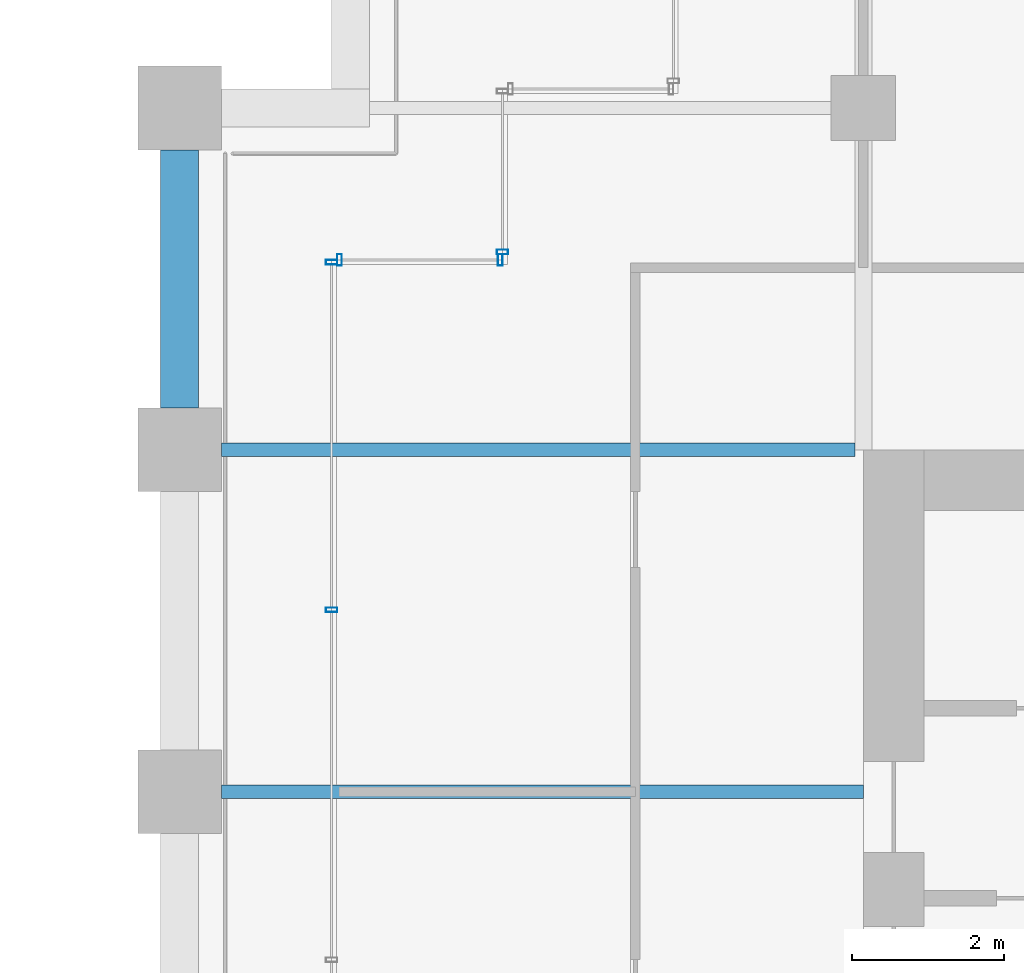
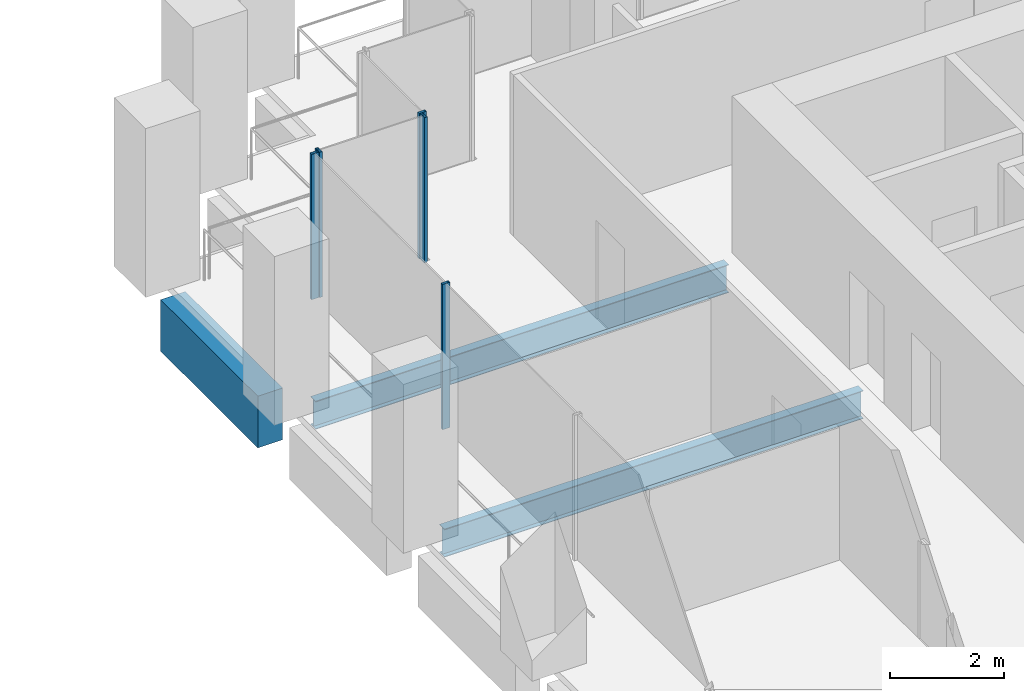
# One storey, part 40 of 56: 5 members, 3 beams, 3 elements without a shape of their own.
"""IFC4 building model written with IfcOpenShell, lengths in metres."""

import ifcopenshell
import ifcopenshell.guid

model = None  # the IFC model being written
_history = None  # IfcOwnerHistory: only IFC2X3 demands one
_inside = {}  # id of a spatial element -> (the spatial element, [elements in it])
_under = {}  # id of a project, library or spatial element -> (it, [spatial elements below it])
_declared = {}  # id of a project -> (the project, [libraries it declares])
_typed = {}  # id of a type object -> (the type object, [elements of that type])
_made_of = {}  # id of a material, layer set ... -> (it, [elements and type objects made of it])


def new_model(schema):
    """Start an empty IFC model of exactly this schema.

    Asked for "IFC4X3", IfcOpenShell would pick the latest addendum, in which some entities
    have other attributes; the version numbers below select the first issue.
    IFC2X3 requires an IfcOwnerHistory on every rooted entity: one is made here for all.
    """
    global model, _history
    if schema == "IFC4X3":
        model = ifcopenshell.file(schema_version=(4, 3, 0, 0))
    else:
        model = ifcopenshell.file(schema=schema)
    _inside.clear()
    _under.clear()
    _declared.clear()
    _typed.clear()
    _made_of.clear()
    _history = None
    if model.schema == "IFC2X3":
        org = make("IfcOrganization", Name="unknown")
        user = make(
            "IfcPersonAndOrganization",
            ThePerson=make("IfcPerson", FamilyName="unknown"),
            TheOrganization=org,
        )
        app = make(
            "IfcApplication",
            ApplicationDeveloper=org,
            Version="unknown",
            ApplicationFullName="unknown",
            ApplicationIdentifier="unknown",
        )
        _history = make(
            "IfcOwnerHistory",
            OwningUser=user,
            OwningApplication=app,
            ChangeAction="ADDED",
            CreationDate=0,
        )
    return model


def make(cls, **values):
    """One entity of the class cls with the attributes given. An attribute that is None is left unset."""
    return model.create_entity(
        cls, **{name: value for name, value in values.items() if value is not None}
    )


def rooted(cls, **values):
    """An entity with a GlobalId (a new one), such as an element, a storey or a relation."""
    return make(cls, GlobalId=ifcopenshell.guid.new(), OwnerHistory=_history, **values)


def si_unit(unit_type, name, prefix=None):
    """IfcSIUnit, for example si_unit("LENGTHUNIT", "METRE", prefix="MILLI")."""
    return make("IfcSIUnit", UnitType=unit_type, Prefix=prefix, Name=name)


def assignment(units):
    """IfcUnitAssignment: the units of a project."""
    return None if units is None else make("IfcUnitAssignment", Units=units)


def point(xyz):
    """IfcCartesianPoint."""
    return None if xyz is None else make("IfcCartesianPoint", Coordinates=xyz)


def direction(xyz):
    """IfcDirection."""
    return None if xyz is None else make("IfcDirection", DirectionRatios=xyz)


def frame(location, z_axis=None, x_axis=None):
    """IfcAxis2Placement3D, a coordinate frame: its origin and axes. An axis left out is left unset."""
    return make(
        "IfcAxis2Placement3D",
        Location=point(location),
        Axis=direction(z_axis),
        RefDirection=direction(x_axis),
    )


def frame_2d(location, x_axis=None):
    """IfcAxis2Placement2D, a coordinate frame in the plane: its origin and x axis."""
    return make(
        "IfcAxis2Placement2D", Location=point(location), RefDirection=direction(x_axis)
    )


def origin():
    """The frame at (0, 0, 0) with its axes left unset."""
    return frame((0.0, 0.0, 0.0))


def origin_2d():
    """The frame at (0, 0) in the plane with its x axis left unset."""
    return frame_2d((0.0, 0.0))


def place(relative_to, where):
    """IfcLocalPlacement: puts the frame where relative to a parent placement (None: the world)."""
    return make(
        "IfcLocalPlacement", PlacementRelTo=relative_to, RelativePlacement=where
    )


def context(
    kind, dimensions, precision=None, world=None, true_north=None, identifier=None
):
    """IfcGeometricRepresentationContext, for example the 3D "Model" context."""
    return make(
        "IfcGeometricRepresentationContext",
        ContextIdentifier=identifier,
        ContextType=kind,
        CoordinateSpaceDimension=dimensions,
        Precision=precision,
        WorldCoordinateSystem=world,
        TrueNorth=true_north,
    )


def subcontext(parent, identifier, kind, view, scale=None):
    """IfcGeometricRepresentationSubContext, for example "Body" below "Model"."""
    return make(
        "IfcGeometricRepresentationSubContext",
        ContextIdentifier=identifier,
        ContextType=kind,
        ParentContext=parent,
        TargetScale=scale,
        TargetView=view,
    )


def project(units=None, contexts=None):
    """IfcProject with its units and contexts."""
    return rooted(
        "IfcProject",
        Name="project",
        RepresentationContexts=contexts,
        UnitsInContext=assignment(units),
    )


def spatial(cls, under=None, at=None, **own):
    """A site, building, storey or space (cls), placed at a placement, below another one or the project."""
    s = rooted(cls, ObjectPlacement=at, **own)
    if under is not None:
        _under.setdefault(under.id(), (under, []))[1].append(s)
    return s


def profile(cls, at=None, kind="AREA", **sizes):
    """A parametric profile (cls). Its sizes go by their IFC names, for example OverallWidth=200.0."""
    return make(cls, ProfileType=kind, Position=at, **sizes)


def rectangle(**sizes):
    """IfcRectangleProfileDef."""
    return profile("IfcRectangleProfileDef", **sizes)


def hollow_rectangle(**sizes):
    """IfcRectangleHollowProfileDef."""
    return profile("IfcRectangleHollowProfileDef", **sizes)


def i_section(**sizes):
    """IfcIShapeProfileDef."""
    return profile("IfcIShapeProfileDef", **sizes)


def extrude(swept, where, along, depth):
    """IfcExtrudedAreaSolid: the profile swept, set in the frame where, extruded along a direction by depth."""
    return make(
        "IfcExtrudedAreaSolid",
        SweptArea=swept,
        Position=where,
        ExtrudedDirection=direction(along),
        Depth=depth,
    )


def shape(context_of_items, identifier, shape_type, items):
    """IfcShapeRepresentation: the items that make up one representation, for example the "Body"."""
    return make(
        "IfcShapeRepresentation",
        ContextOfItems=context_of_items,
        RepresentationIdentifier=identifier,
        RepresentationType=shape_type,
        Items=items,
    )


def material(Name=None, Category=None):
    """IfcMaterial."""
    return make("IfcMaterial", Name=Name, Category=Category)


def material_profile(
    of_material, cross_section, Name=None, Category=None, Priority=None
):
    """IfcMaterialProfile: a cross section and its material."""
    return make(
        "IfcMaterialProfile",
        Name=Name,
        Material=of_material,
        Profile=cross_section,
        Priority=Priority,
        Category=Category,
    )


def profile_set(profiles, Name=None, composite=None):
    """IfcMaterialProfileSet."""
    return make(
        "IfcMaterialProfileSet",
        Name=Name,
        MaterialProfiles=profiles,
        CompositeProfile=composite,
    )


def made_of(thing, what):
    """Note that an element or type object is made of a material, layer set ...; save() writes the relation."""
    if what is not None:
        _made_of.setdefault(what.id(), (what, []))[1].append(thing)
    return thing


def type_object(cls, material=None, **own):
    """A type object (cls), such as IfcWallType, which elements share."""
    return made_of(rooted(cls, **own), material)


def element(
    cls,
    number,
    at=None,
    inside=None,
    cuts=None,
    type_object=None,
    material=None,
    context=None,
    identifier="Body",
    shape_type=None,
    held_by="IfcProductDefinitionShape",
    body=None,
    shapes=None,
    **own,
):
    """One element of the class cls, such as IfcWall. Its Tag is "e" and its number.

    at: its placement. inside: the storey or other place that contains it. cuts: it is an
    opening in that element (IfcRelVoidsElement). A single representation is given by context,
    identifier, shape_type and body (its items); several are given by shapes. held_by: the class
    of the entity that holds the representations. save() writes the other relations.
    """
    e = rooted(cls, Tag="e%d" % number, ObjectPlacement=at, **own)
    if body is not None:
        shapes = [shape(context, identifier, shape_type, body)]
    if shapes is not None:
        e.Representation = make(held_by, Representations=shapes)
    if inside is not None:
        _inside.setdefault(inside.id(), (inside, []))[1].append(e)
    if cuts is not None:
        rooted(
            "IfcRelVoidsElement", RelatingBuildingElement=cuts, RelatedOpeningElement=e
        )
    if type_object is not None:
        _typed.setdefault(type_object.id(), (type_object, []))[1].append(e)
    return made_of(e, material)


def aggregate(whole, parts):
    """IfcRelAggregates: a whole, such as a stair, and the parts it consists of."""
    return rooted("IfcRelAggregates", RelatingObject=whole, RelatedObjects=parts)


def save(model, path):
    """Write the relations noted so far, then the file.

    IfcRelAggregates (storeys below a building ...), IfcRelContainedInSpatialStructure (elements
    in a storey), IfcRelDefinesByType, IfcRelAssociatesMaterial and IfcRelDeclares: one each for
    every whole, place, type object, material and project.
    """
    for whole, parts in _under.values():
        aggregate(whole, parts)
    for where, things in _inside.values():
        rooted(
            "IfcRelContainedInSpatialStructure",
            RelatedElements=things,
            RelatingStructure=where,
        )
    for kind, things in _typed.values():
        rooted("IfcRelDefinesByType", RelatedObjects=things, RelatingType=kind)
    for what, things in _made_of.values():
        rooted("IfcRelAssociatesMaterial", RelatedObjects=things, RelatingMaterial=what)
    for by, libraries in _declared.values():
        rooted("IfcRelDeclares", RelatingContext=by, RelatedDefinitions=libraries)
    model.write(path)


model = new_model("IFC4")

# Units and contexts
model_context = context("Model", 3, precision=1e-05, world=origin(), true_north=direction((0.0, 1.0)))
body_context = subcontext(model_context, "Body", "Model", "MODEL_VIEW")
ifc_project = project(units=[si_unit("LENGTHUNIT", "METRE"), si_unit("AREAUNIT", "SQUARE_METRE"), si_unit("VOLUMEUNIT", "CUBIC_METRE"), si_unit("PLANEANGLEUNIT", "RADIAN"), si_unit("MASSUNIT", "GRAM", prefix="KILO")], contexts=[model_context])

# Site, building, storey
site_placement = place(None, origin())
site = spatial("IfcSite", under=ifc_project, at=site_placement, CompositionType="ELEMENT")
building_placement = place(site_placement, origin())
building = spatial("IfcBuilding", under=site, at=building_placement, Name="Altepetl Exchange Towers", CompositionType="ELEMENT")
storey_placement = place(building_placement, frame((0.0, 0.0, 76.199951171875)))
storey = spatial("IfcBuildingStorey", under=building, at=storey_placement, Name="L18", CompositionType="ELEMENT", Elevation=76.199951171875)

# Beams
ifc_material_1 = material(Name="Steel S355", Category="steel")
ifc_material_profile_1 = material_profile(ifc_material_1, i_section(OverallWidth=0.177978515625, OverallDepth=0.59912109375, WebThickness=0.010009765625, FlangeThickness=0.0126953125, at=origin_2d()), Name="W24X55")
ifc_profile_set_1 = profile_set([ifc_material_profile_1], Name="Steel S355")
beam_type_1 = type_object("IfcBeamType", Name="Floor beam W24X55", PredefinedType="BEAM", material=ifc_profile_set_1)
beam_1_placement = place(storey_placement, frame((95.050048828125, 45.0, -0.449462890625), z_axis=(1.0, 0.0, 0.0), x_axis=(0.0, 1.0, 0.0)))
element("IfcBeam", 1, at=beam_1_placement, inside=storey, type_object=beam_type_1, Name="bm:B:L18:013", PredefinedType="BEAM", context=body_context, shape_type="SweptSolid", body=[
    extrude(i_section(OverallWidth=0.177978515625, OverallDepth=0.59912109375, WebThickness=0.010009765625, FlangeThickness=0.0126953125, at=origin_2d()), origin(), (0.0, 0.0, 1.0), 8.449951171875),
])
beam_2_placement = place(storey_placement, frame((95.050048828125, 49.5, -0.449462890625), z_axis=(1.0, 0.0, 0.0), x_axis=(0.0, 1.0, 0.0)))
element("IfcBeam", 2, at=beam_2_placement, inside=storey, type_object=beam_type_1, Name="bm:B:L18:014", PredefinedType="BEAM", context=body_context, shape_type="SweptSolid", body=[
    extrude(i_section(OverallWidth=0.177978515625, OverallDepth=0.59912109375, WebThickness=0.010009765625, FlangeThickness=0.0126953125, at=origin_2d()), origin(), (0.0, 0.0, 1.0), 8.3359375),
])

# Curtain wall, members
ifc_material_2 = material(Name="Aluminium 6063-T6 glazing", Category="aluminium")
curtain_wall_type = type_object("IfcCurtainWallType", Name="Loggia glazing system", PredefinedType="NOTDEFINED", material=ifc_material_2)
curtain_wall_1_placement = place(storey_placement, origin())
curtain_wall_1 = element("IfcCurtainWall", 3, at=curtain_wall_1_placement, inside=storey, type_object=curtain_wall_type, Name="CW1 run", PredefinedType="NOTDEFINED")
ifc_material_3 = material(Name="Aluminium 6063-T6", Category="aluminium")
ifc_material_profile_2 = material_profile(ifc_material_3, hollow_rectangle(XDim=0.06005859375, YDim=0.14990234375, WallThickness=0.0029296875, at=origin_2d()), Name="Mullion 60x150 aluminium")
ifc_profile_set_2 = profile_set([ifc_material_profile_2], Name="Aluminium 6063-T6")
member_type = type_object("IfcMemberType", Name="Mullion 60x150 aluminium", PredefinedType="MULLION", material=ifc_profile_set_2)
member_1_placement = place(storey_placement, frame((98.719970703125, 52.0, 0.0), z_axis=(0.0, 0.0, 1.0), x_axis=(-1.0, 0.0, 0.0)))
member_1 = element("IfcMember", 4, at=member_1_placement, type_object=member_type, Name="MU1 mullion", PredefinedType="MULLION", context=body_context, shape_type="SweptSolid", body=[
    extrude(hollow_rectangle(XDim=0.06005859375, YDim=0.14990234375, WallThickness=0.0029296875, at=origin_2d()), origin(), (0.0, 0.0, 1.0), 3.10009765625),
])
member_2_placement = place(storey_placement, frame((96.60498046875, 52.0, 0.0), z_axis=(0.0, 0.0, 1.0), x_axis=(-1.0, 0.0, 0.0)))
member_2 = element("IfcMember", 5, at=member_2_placement, type_object=member_type, Name="MU1 mullion", PredefinedType="MULLION", context=body_context, shape_type="SweptSolid", body=[
    extrude(hollow_rectangle(XDim=0.06005859375, YDim=0.14990234375, WallThickness=0.0029296875, at=origin_2d()), origin(), (0.0, 0.0, 1.0), 3.10009765625),
])
aggregate(curtain_wall_1, [member_1, member_2])

curtain_wall_2_placement = place(storey_placement, origin())
curtain_wall_2 = element("IfcCurtainWall", 6, at=curtain_wall_2_placement, inside=storey, type_object=curtain_wall_type, Name="CW1 run", PredefinedType="NOTDEFINED")
member_3_placement = place(storey_placement, frame((96.5, 51.969970703125, 0.0), z_axis=(0.0, 0.0, 1.0), x_axis=(0.0, -1.0, 0.0)))
member_3 = element("IfcMember", 7, at=member_3_placement, type_object=member_type, Name="MU1 mullion", PredefinedType="MULLION", context=body_context, shape_type="SweptSolid", body=[
    extrude(hollow_rectangle(XDim=0.06005859375, YDim=0.14990234375, WallThickness=0.0029296875, at=origin_2d()), origin(), (0.0, 0.0, 1.0), 3.10009765625),
])
member_4_placement = place(storey_placement, frame((96.5, 47.393798828125, 0.0), z_axis=(0.0, 0.0, 1.0), x_axis=(0.0, -1.0, 0.0)))
member_4 = element("IfcMember", 8, at=member_4_placement, type_object=member_type, Name="MU1 mullion", PredefinedType="MULLION", context=body_context, shape_type="SweptSolid", body=[
    extrude(hollow_rectangle(XDim=0.06005859375, YDim=0.14990234375, WallThickness=0.0029296875, at=origin_2d()), origin(), (0.0, 0.0, 1.0), 3.10009765625),
])
aggregate(curtain_wall_2, [member_3, member_4])

# Curtain wall, member
curtain_wall_3_placement = place(storey_placement, origin())
curtain_wall_3 = element("IfcCurtainWall", 9, at=curtain_wall_3_placement, inside=storey, type_object=curtain_wall_type, Name="CW1 run", PredefinedType="NOTDEFINED")
member_5_placement = place(storey_placement, frame((98.75, 52.10498046875, 0.0), z_axis=(0.0, 0.0, 1.0), x_axis=(0.0, -1.0, 0.0)))
member_5 = element("IfcMember", 10, at=member_5_placement, type_object=member_type, Name="MU1 mullion", PredefinedType="MULLION", context=body_context, shape_type="SweptSolid", body=[
    extrude(hollow_rectangle(XDim=0.06005859375, YDim=0.14990234375, WallThickness=0.0029296875, at=origin_2d()), origin(), (0.0, 0.0, 1.0), 3.10009765625),
])
aggregate(curtain_wall_3, [member_5])

# Beam
ifc_material_4 = material(Name="Concrete C50/60 precast with cantera rosa facing", Category="concrete")
ifc_material_profile_3 = material_profile(ifc_material_4, rectangle(XDim=0.5, YDim=1.10009765625, at=origin_2d()), Name="500 x 1100")
ifc_profile_set_3 = profile_set([ifc_material_profile_3], Name="Concrete C50/60 precast with cantera rosa facing")
beam_type_2 = type_object("IfcBeamType", Name="Spandrel beam 500x1100 cantera rosa", PredefinedType="SPANDREL", material=ifc_profile_set_3)
beam_3_placement = place(storey_placement, frame((94.5, 53.449951171875, -0.699951171875), z_axis=(0.0, -1.0, 0.0), x_axis=(1.0, 0.0, 0.0)))
element("IfcBeam", 11, at=beam_3_placement, inside=storey, type_object=beam_type_2, Name="sp:B:L18:027", PredefinedType="SPANDREL", context=body_context, shape_type="SweptSolid", body=[
    extrude(rectangle(XDim=0.5, YDim=1.10009765625, at=origin_2d()), origin(), (0.0, 0.0, 1.0), 3.39990234375),
])

save(model, "model.ifc")
